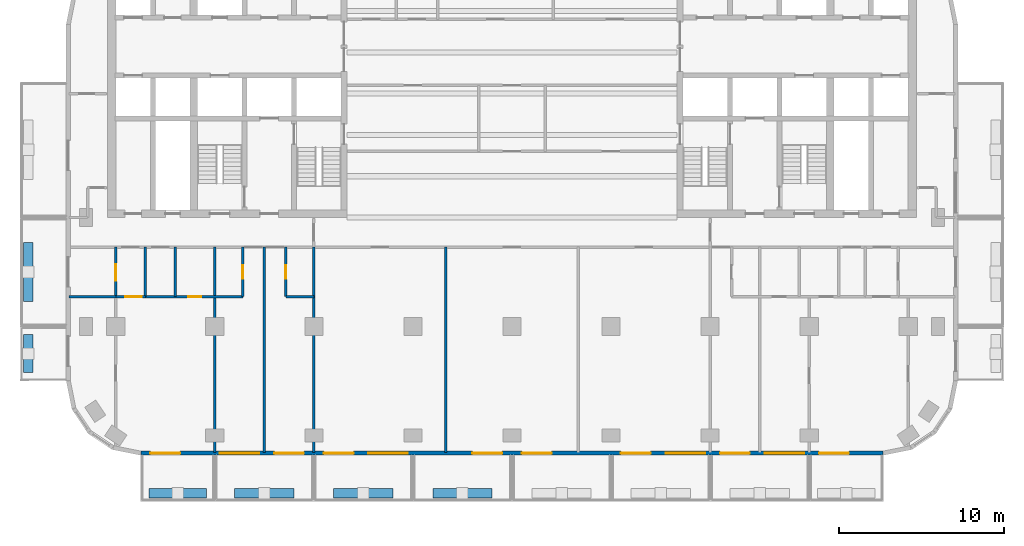
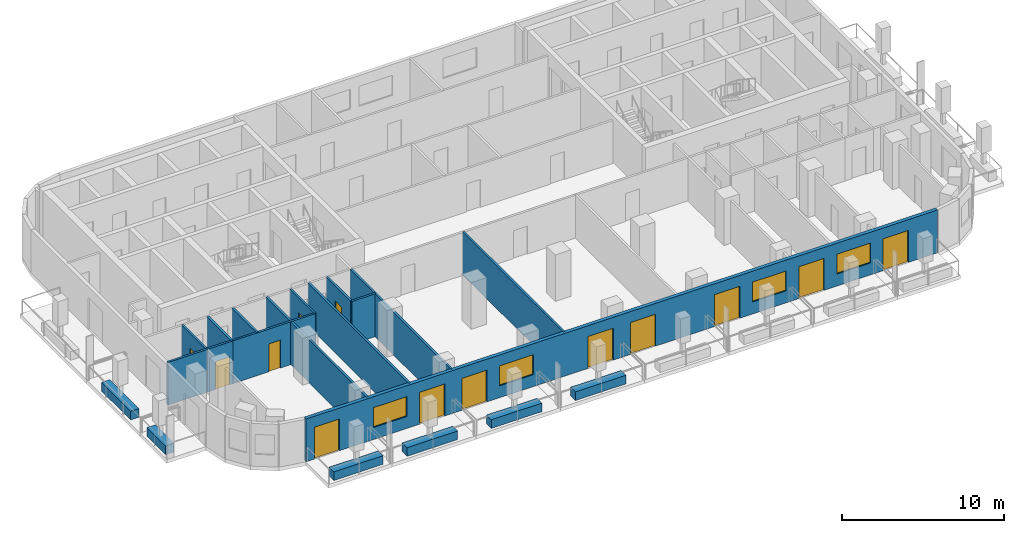
# One storey, part 2 of 11: 20 walls, 13 doors, 4 windows, 17 openings.
"""IFC4 building model written with IfcOpenShell, lengths in metres."""

from ifc_helpers import new_model, si_unit, direction, frame, frame_2d, origin, place, context, subcontext, project, spatial, rectangle, extrude, material, layer, layer_set, type_object, element, fill, save


model = new_model("IFC4")

# Units and contexts
model_context = context("Model", 3, precision=1e-05, world=origin(), true_north=direction((0.0, 1.0)))
body_context = subcontext(model_context, "Body", "Model", "MODEL_VIEW")
ifc_project = project(units=[si_unit("LENGTHUNIT", "METRE"), si_unit("AREAUNIT", "SQUARE_METRE"), si_unit("VOLUMEUNIT", "CUBIC_METRE"), si_unit("PLANEANGLEUNIT", "RADIAN"), si_unit("MASSUNIT", "GRAM", prefix="KILO")], contexts=[model_context])

# Site, building, storey
site_placement = place(None, origin())
site = spatial("IfcSite", under=ifc_project, at=site_placement, CompositionType="ELEMENT")
building_placement = place(site_placement, origin())
building = spatial("IfcBuilding", under=site, at=building_placement, Name="Torana Hotel and Residences", CompositionType="ELEMENT")
storey_placement = place(building_placement, frame((0.0, 0.0, 187.10009765625)))
storey = spatial("IfcBuildingStorey", under=building, at=storey_placement, Name="L48", CompositionType="ELEMENT", Elevation=187.10009765625)

# Wall, openings, doors, windows
ifc_material_1 = material(Name="Black aluminium composite panel", Category="aluminium")
ifc_layer_1 = layer(ifc_material_1, 0.00390625, Name="Cladding", Category="cladding")
ifc_material_2 = material(Name="Ventilated air cavity")
ifc_layer_2 = layer(ifc_material_2, 0.0400390625, Name="Ventilated cavity", Category="cavity")
ifc_material_3 = material(Name="Mineral wool insulation")
ifc_layer_3 = layer(ifc_material_3, 0.090087890625, Name="Insulation", Category="insulation")
ifc_material_4 = material(Name="Steel S280GD", Category="steel")
ifc_layer_4 = layer(ifc_material_4, 0.092041015625, Name="Steel stud frame", Category="structure")
ifc_material_5 = material(Name="Fire rated plasterboard")
ifc_layer_5 = layer(ifc_material_5, 0.011962890625, Name="Inner board", Category="finish")
ifc_layer_6 = layer(ifc_material_5, 0.011962890625, Name="Second board", Category="finish")
ifc_layer_set_1 = layer_set([ifc_layer_1, ifc_layer_2, ifc_layer_3, ifc_layer_4, ifc_layer_5, ifc_layer_6], Name="EW1 EXTERNAL WALL BLACK METAL CLAD 250")
wall_type_1 = type_object("IfcWallType", Name="EW1 EXTERNAL WALL BLACK METAL CLAD 250", PredefinedType="SOLIDWALL", material=ifc_layer_set_1)
wall_1_placement = place(storey_placement, frame((-22.475341796875, -29.27490234375, 0.0), z_axis=(0.0, 0.0, 1.0), x_axis=(1.0, 0.0, 0.0)))
wall_1 = element("IfcWall", 1, at=wall_1_placement, inside=storey, type_object=wall_type_1, Name="External wall L48 e0.14", PredefinedType="SOLIDWALL", context=body_context, shape_type="SweptSolid", body=[
    extrude(rectangle(XDim=44.95068359375, YDim=0.25, at=frame_2d((22.475341796875, 0.0))), origin(), (0.0, 0.0, 1.0), 3.219970703125),
])
opening_1_placement = place(wall_1_placement, frame((0.575439453125, 0.0, 0.0)))
opening_1 = element("IfcOpeningElement", 2, at=opening_1_placement, cuts=wall_1, Name="Opening L48-E01", PredefinedType="OPENING", context=body_context, shape_type="SweptSolid", body=[
    extrude(rectangle(XDim=1.800048828125, YDim=2.39990234375, at=frame_2d((0.89990234375, 1.199951171875))), frame((0.0, 0.135009765625, 0.0), z_axis=(0.0, -1.0, 0.0), x_axis=(1.0, 0.0, 0.0)), (0.0, 0.0, 1.0), 0.27001953125),
])
opening_2_placement = place(wall_1_placement, frame((4.775390625, 0.0, 0.89990234375)))
opening_2 = element("IfcOpeningElement", 3, at=opening_2_placement, cuts=wall_1, Name="Opening W3", PredefinedType="OPENING", context=body_context, shape_type="SweptSolid", body=[
    extrude(rectangle(XDim=2.39990234375, YDim=1.5, at=frame_2d((1.199951171875, 0.75))), frame((0.0, 0.135009765625, 0.0), z_axis=(0.0, -1.0, 0.0), x_axis=(1.0, 0.0, 0.0)), (0.0, 0.0, 1.0), 0.27001953125),
])
opening_3_placement = place(wall_1_placement, frame((8.075439453125, 0.0, 0.0)))
opening_3 = element("IfcOpeningElement", 4, at=opening_3_placement, cuts=wall_1, Name="Opening L48-E02", PredefinedType="OPENING", context=body_context, shape_type="SweptSolid", body=[
    extrude(rectangle(XDim=1.800048828125, YDim=2.39990234375, at=frame_2d((0.89990234375, 1.199951171875))), frame((0.0, 0.135009765625, 0.0), z_axis=(0.0, -1.0, 0.0), x_axis=(1.0, 0.0, 0.0)), (0.0, 0.0, 1.0), 0.27001953125),
])
opening_4_placement = place(wall_1_placement, frame((11.075439453125, 0.0, 0.0)))
opening_4 = element("IfcOpeningElement", 5, at=opening_4_placement, cuts=wall_1, Name="Opening L48-E03", PredefinedType="OPENING", context=body_context, shape_type="SweptSolid", body=[
    extrude(rectangle(XDim=1.800048828125, YDim=2.39990234375, at=frame_2d((0.89990234375, 1.199951171875))), frame((0.0, 0.135009765625, 0.0), z_axis=(0.0, -1.0, 0.0), x_axis=(1.0, 0.0, 0.0)), (0.0, 0.0, 1.0), 0.27001953125),
])
opening_5_placement = place(wall_1_placement, frame((13.775390625, 0.0, 0.89990234375)))
opening_5 = element("IfcOpeningElement", 6, at=opening_5_placement, cuts=wall_1, Name="Opening W3", PredefinedType="OPENING", context=body_context, shape_type="SweptSolid", body=[
    extrude(rectangle(XDim=2.39990234375, YDim=1.5, at=frame_2d((1.199951171875, 0.75))), frame((0.0, 0.135009765625, 0.0), z_axis=(0.0, -1.0, 0.0), x_axis=(1.0, 0.0, 0.0)), (0.0, 0.0, 1.0), 0.27001953125),
])
opening_6_placement = place(wall_1_placement, frame((20.075439453125, 0.0, 0.0)))
opening_6 = element("IfcOpeningElement", 7, at=opening_6_placement, cuts=wall_1, Name="Opening L48-E04", PredefinedType="OPENING", context=body_context, shape_type="SweptSolid", body=[
    extrude(rectangle(XDim=1.800048828125, YDim=2.39990234375, at=frame_2d((0.89990234375, 1.199951171875))), frame((0.0, 0.135009765625, 0.0), z_axis=(0.0, -1.0, 0.0), x_axis=(1.0, 0.0, 0.0)), (0.0, 0.0, 1.0), 0.27001953125),
])
opening_7_placement = place(wall_1_placement, frame((23.075439453125, 0.0, 0.0)))
opening_7 = element("IfcOpeningElement", 8, at=opening_7_placement, cuts=wall_1, Name="Opening L48-E05", PredefinedType="OPENING", context=body_context, shape_type="SweptSolid", body=[
    extrude(rectangle(XDim=1.800048828125, YDim=2.39990234375, at=frame_2d((0.89990234375, 1.199951171875))), frame((0.0, 0.135009765625, 0.0), z_axis=(0.0, -1.0, 0.0), x_axis=(1.0, 0.0, 0.0)), (0.0, 0.0, 1.0), 0.27001953125),
])
opening_8_placement = place(wall_1_placement, frame((29.075439453125, 0.0, 0.0)))
opening_8 = element("IfcOpeningElement", 9, at=opening_8_placement, cuts=wall_1, Name="Opening L48-E06", PredefinedType="OPENING", context=body_context, shape_type="SweptSolid", body=[
    extrude(rectangle(XDim=1.800048828125, YDim=2.39990234375, at=frame_2d((0.89990234375, 1.199951171875))), frame((0.0, 0.135009765625, 0.0), z_axis=(0.0, -1.0, 0.0), x_axis=(1.0, 0.0, 0.0)), (0.0, 0.0, 1.0), 0.27001953125),
])
opening_9_placement = place(wall_1_placement, frame((31.775390625, 0.0, 0.89990234375)))
opening_9 = element("IfcOpeningElement", 10, at=opening_9_placement, cuts=wall_1, Name="Opening W3", PredefinedType="OPENING", context=body_context, shape_type="SweptSolid", body=[
    extrude(rectangle(XDim=2.39990234375, YDim=1.5, at=frame_2d((1.199951171875, 0.75))), frame((0.0, 0.135009765625, 0.0), z_axis=(0.0, -1.0, 0.0), x_axis=(1.0, 0.0, 0.0)), (0.0, 0.0, 1.0), 0.27001953125),
])
opening_10_placement = place(wall_1_placement, frame((35.075439453125, 0.0, 0.0)))
opening_10 = element("IfcOpeningElement", 11, at=opening_10_placement, cuts=wall_1, Name="Opening L48-E07", PredefinedType="OPENING", context=body_context, shape_type="SweptSolid", body=[
    extrude(rectangle(XDim=1.800048828125, YDim=2.39990234375, at=frame_2d((0.89990234375, 1.199951171875))), frame((0.0, 0.135009765625, 0.0), z_axis=(0.0, -1.0, 0.0), x_axis=(1.0, 0.0, 0.0)), (0.0, 0.0, 1.0), 0.27001953125),
])
opening_11_placement = place(wall_1_placement, frame((37.775390625, 0.0, 0.89990234375)))
opening_11 = element("IfcOpeningElement", 12, at=opening_11_placement, cuts=wall_1, Name="Opening W3", PredefinedType="OPENING", context=body_context, shape_type="SweptSolid", body=[
    extrude(rectangle(XDim=2.39990234375, YDim=1.5, at=frame_2d((1.199951171875, 0.75))), frame((0.0, 0.135009765625, 0.0), z_axis=(0.0, -1.0, 0.0), x_axis=(1.0, 0.0, 0.0)), (0.0, 0.0, 1.0), 0.27001953125),
])
opening_12_placement = place(wall_1_placement, frame((41.075439453125, 0.0, 0.0)))
opening_12 = element("IfcOpeningElement", 13, at=opening_12_placement, cuts=wall_1, Name="Opening L48-E08", PredefinedType="OPENING", context=body_context, shape_type="SweptSolid", body=[
    extrude(rectangle(XDim=1.800048828125, YDim=2.39990234375, at=frame_2d((0.89990234375, 1.199951171875))), frame((0.0, 0.135009765625, 0.0), z_axis=(0.0, -1.0, 0.0), x_axis=(1.0, 0.0, 0.0)), (0.0, 0.0, 1.0), 0.27001953125),
])
ifc_material_6 = material(Name="Dark glass in black aluminium frame", Category="aluminium")
door_type_1 = type_object("IfcDoorType", Name="DB1 BALCONY DOOR 1800x2400", OperationType="DOUBLE_DOOR_SINGLE_SWING", PredefinedType="DOOR", material=ifc_material_6)
door_1_placement = place(opening_1_placement, origin())
door_1 = element("IfcDoor", 14, at=door_1_placement, inside=storey, type_object=door_type_1, Name="Balcony door L48", OperationType="DOUBLE_DOOR_SINGLE_SWING", OverallHeight=2.39990234375, OverallWidth=1.800048828125, PredefinedType="DOOR", context=body_context, shape_type="SweptSolid", body=[
    extrude(rectangle(XDim=1.800048828125, YDim=2.39990234375, at=frame_2d((0.89990234375, 1.199951171875))), frame((0.0, 0.02490234375, 0.0), z_axis=(0.0, -1.0, 0.0), x_axis=(1.0, 0.0, 0.0)), (0.0, 0.0, 1.0), 0.050048828125),
])
fill(opening_1, door_1)
door_2_placement = place(opening_3_placement, origin())
door_2 = element("IfcDoor", 15, at=door_2_placement, inside=storey, type_object=door_type_1, Name="Balcony door L48", OperationType="DOUBLE_DOOR_SINGLE_SWING", OverallHeight=2.39990234375, OverallWidth=1.800048828125, PredefinedType="DOOR", context=body_context, shape_type="SweptSolid", body=[
    extrude(rectangle(XDim=1.800048828125, YDim=2.39990234375, at=frame_2d((0.89990234375, 1.199951171875))), frame((0.0, 0.02490234375, 0.0), z_axis=(0.0, -1.0, 0.0), x_axis=(1.0, 0.0, 0.0)), (0.0, 0.0, 1.0), 0.050048828125),
])
fill(opening_3, door_2)
door_3_placement = place(opening_4_placement, origin())
door_3 = element("IfcDoor", 16, at=door_3_placement, inside=storey, type_object=door_type_1, Name="Balcony door L48", OperationType="DOUBLE_DOOR_SINGLE_SWING", OverallHeight=2.39990234375, OverallWidth=1.800048828125, PredefinedType="DOOR", context=body_context, shape_type="SweptSolid", body=[
    extrude(rectangle(XDim=1.800048828125, YDim=2.39990234375, at=frame_2d((0.89990234375, 1.199951171875))), frame((0.0, 0.02490234375, 0.0), z_axis=(0.0, -1.0, 0.0), x_axis=(1.0, 0.0, 0.0)), (0.0, 0.0, 1.0), 0.050048828125),
])
fill(opening_4, door_3)
door_4_placement = place(opening_6_placement, origin())
door_4 = element("IfcDoor", 17, at=door_4_placement, inside=storey, type_object=door_type_1, Name="Balcony door L48", OperationType="DOUBLE_DOOR_SINGLE_SWING", OverallHeight=2.39990234375, OverallWidth=1.800048828125, PredefinedType="DOOR", context=body_context, shape_type="SweptSolid", body=[
    extrude(rectangle(XDim=1.800048828125, YDim=2.39990234375, at=frame_2d((0.89990234375, 1.199951171875))), frame((0.0, 0.02490234375, 0.0), z_axis=(0.0, -1.0, 0.0), x_axis=(1.0, 0.0, 0.0)), (0.0, 0.0, 1.0), 0.050048828125),
])
fill(opening_6, door_4)
door_5_placement = place(opening_7_placement, origin())
door_5 = element("IfcDoor", 18, at=door_5_placement, inside=storey, type_object=door_type_1, Name="Balcony door L48", OperationType="DOUBLE_DOOR_SINGLE_SWING", OverallHeight=2.39990234375, OverallWidth=1.800048828125, PredefinedType="DOOR", context=body_context, shape_type="SweptSolid", body=[
    extrude(rectangle(XDim=1.800048828125, YDim=2.39990234375, at=frame_2d((0.89990234375, 1.199951171875))), frame((0.0, 0.02490234375, 0.0), z_axis=(0.0, -1.0, 0.0), x_axis=(1.0, 0.0, 0.0)), (0.0, 0.0, 1.0), 0.050048828125),
])
fill(opening_7, door_5)
door_6_placement = place(opening_8_placement, origin())
door_6 = element("IfcDoor", 19, at=door_6_placement, inside=storey, type_object=door_type_1, Name="Balcony door L48", OperationType="DOUBLE_DOOR_SINGLE_SWING", OverallHeight=2.39990234375, OverallWidth=1.800048828125, PredefinedType="DOOR", context=body_context, shape_type="SweptSolid", body=[
    extrude(rectangle(XDim=1.800048828125, YDim=2.39990234375, at=frame_2d((0.89990234375, 1.199951171875))), frame((0.0, 0.02490234375, 0.0), z_axis=(0.0, -1.0, 0.0), x_axis=(1.0, 0.0, 0.0)), (0.0, 0.0, 1.0), 0.050048828125),
])
fill(opening_8, door_6)
door_7_placement = place(opening_10_placement, origin())
door_7 = element("IfcDoor", 20, at=door_7_placement, inside=storey, type_object=door_type_1, Name="Balcony door L48", OperationType="DOUBLE_DOOR_SINGLE_SWING", OverallHeight=2.39990234375, OverallWidth=1.800048828125, PredefinedType="DOOR", context=body_context, shape_type="SweptSolid", body=[
    extrude(rectangle(XDim=1.800048828125, YDim=2.39990234375, at=frame_2d((0.89990234375, 1.199951171875))), frame((0.0, 0.02490234375, 0.0), z_axis=(0.0, -1.0, 0.0), x_axis=(1.0, 0.0, 0.0)), (0.0, 0.0, 1.0), 0.050048828125),
])
fill(opening_10, door_7)
door_8_placement = place(opening_12_placement, origin())
door_8 = element("IfcDoor", 21, at=door_8_placement, inside=storey, type_object=door_type_1, Name="Balcony door L48", OperationType="DOUBLE_DOOR_SINGLE_SWING", OverallHeight=2.39990234375, OverallWidth=1.800048828125, PredefinedType="DOOR", context=body_context, shape_type="SweptSolid", body=[
    extrude(rectangle(XDim=1.800048828125, YDim=2.39990234375, at=frame_2d((0.89990234375, 1.199951171875))), frame((0.0, 0.02490234375, 0.0), z_axis=(0.0, -1.0, 0.0), x_axis=(1.0, 0.0, 0.0)), (0.0, 0.0, 1.0), 0.050048828125),
])
fill(opening_12, door_8)
ifc_material_7 = material(Name="Dark glass in black aluminium frame", Category="aluminium")
window_type = type_object("IfcWindowType", Name="W3 RESIDENCE WINDOW 2400x1500", PartitioningType="SINGLE_PANEL", PredefinedType="WINDOW", material=ifc_material_7)
window_1_placement = place(opening_2_placement, origin())
window_1 = element("IfcWindow", 22, at=window_1_placement, inside=storey, type_object=window_type, Name="Window L48", OverallHeight=1.5, OverallWidth=2.39990234375, PartitioningType="SINGLE_PANEL", PredefinedType="WINDOW", context=body_context, shape_type="SweptSolid", body=[
    extrude(rectangle(XDim=2.39990234375, YDim=1.5, at=frame_2d((1.199951171875, 0.75))), frame((0.0, 0.030029296875, 0.0), z_axis=(0.0, -1.0, 0.0), x_axis=(1.0, 0.0, 0.0)), (0.0, 0.0, 1.0), 0.06005859375),
])
fill(opening_2, window_1)
window_2_placement = place(opening_5_placement, origin())
window_2 = element("IfcWindow", 23, at=window_2_placement, inside=storey, type_object=window_type, Name="Window L48", OverallHeight=1.5, OverallWidth=2.39990234375, PartitioningType="SINGLE_PANEL", PredefinedType="WINDOW", context=body_context, shape_type="SweptSolid", body=[
    extrude(rectangle(XDim=2.39990234375, YDim=1.5, at=frame_2d((1.199951171875, 0.75))), frame((0.0, 0.030029296875, 0.0), z_axis=(0.0, -1.0, 0.0), x_axis=(1.0, 0.0, 0.0)), (0.0, 0.0, 1.0), 0.06005859375),
])
fill(opening_5, window_2)
window_3_placement = place(opening_9_placement, origin())
window_3 = element("IfcWindow", 24, at=window_3_placement, inside=storey, type_object=window_type, Name="Window L48", OverallHeight=1.5, OverallWidth=2.39990234375, PartitioningType="SINGLE_PANEL", PredefinedType="WINDOW", context=body_context, shape_type="SweptSolid", body=[
    extrude(rectangle(XDim=2.39990234375, YDim=1.5, at=frame_2d((1.199951171875, 0.75))), frame((0.0, 0.030029296875, 0.0), z_axis=(0.0, -1.0, 0.0), x_axis=(1.0, 0.0, 0.0)), (0.0, 0.0, 1.0), 0.06005859375),
])
fill(opening_9, window_3)
window_4_placement = place(opening_11_placement, origin())
window_4 = element("IfcWindow", 25, at=window_4_placement, inside=storey, type_object=window_type, Name="Window L48", OverallHeight=1.5, OverallWidth=2.39990234375, PartitioningType="SINGLE_PANEL", PredefinedType="WINDOW", context=body_context, shape_type="SweptSolid", body=[
    extrude(rectangle(XDim=2.39990234375, YDim=1.5, at=frame_2d((1.199951171875, 0.75))), frame((0.0, 0.030029296875, 0.0), z_axis=(0.0, -1.0, 0.0), x_axis=(1.0, 0.0, 0.0)), (0.0, 0.0, 1.0), 0.06005859375),
])
fill(opening_11, window_4)

# Wall
ifc_material_8 = material(Name="Gypsum plaster")
ifc_layer_7 = layer(ifc_material_8, 0.014892578125, Name="Plaster", Category="finish")
ifc_material_9 = material(Name="Concrete blockwork", Category="masonry")
ifc_layer_8 = layer(ifc_material_9, 0.1201171875, Name="Blockwork", Category="structure")
ifc_layer_9 = layer(ifc_material_8, 0.014892578125, Name="Plaster", Category="finish")
ifc_layer_set_2 = layer_set([ifc_layer_7, ifc_layer_8, ifc_layer_9], Name="FIRE PARTITION 150 BLOCKWORK")
wall_type_2 = type_object("IfcWallType", Name="FIRE PARTITION 150 BLOCKWORK", PredefinedType="PARTITIONING", material=ifc_layer_set_2)
wall_2_placement = place(storey_placement, frame((-22.199951171875, -19.800048828125, 0.0), z_axis=(0.0, 0.0, 1.0), x_axis=(0.0, 1.0, 0.0)))
element("IfcWall", 26, at=wall_2_placement, inside=storey, type_object=wall_type_2, Name="Partition L48", PredefinedType="PARTITIONING", context=body_context, shape_type="SweptSolid", body=[
    extrude(rectangle(XDim=3.0, YDim=0.14990234375, at=frame_2d((1.5, 0.0))), origin(), (0.0, 0.0, 1.0), 3.219970703125),
])

# Wall, opening, door
wall_3_placement = place(storey_placement, frame((-24.0, -19.800048828125, 0.0), z_axis=(0.0, 0.0, 1.0), x_axis=(0.0, 1.0, 0.0)))
wall_3 = element("IfcWall", 27, at=wall_3_placement, inside=storey, type_object=wall_type_2, Name="Partition L48", PredefinedType="PARTITIONING", context=body_context, shape_type="SweptSolid", body=[
    extrude(rectangle(XDim=3.0, YDim=0.14990234375, at=frame_2d((1.5, 0.0))), origin(), (0.0, 0.0, 1.0), 3.219970703125),
])
opening_13_placement = place(wall_3_placement, frame((0.97998046875, 0.0, 0.0)))
opening_13 = element("IfcOpeningElement", 28, at=opening_13_placement, cuts=wall_3, Name="Opening L48-53", PredefinedType="OPENING", context=body_context, shape_type="SweptSolid", body=[
    extrude(rectangle(XDim=1.0, YDim=2.10009765625, at=frame_2d((0.5, 1.050048828125))), frame((0.0, 0.0849609375, 0.0), z_axis=(0.0, -1.0, 0.0), x_axis=(1.0, 0.0, 0.0)), (0.0, 0.0, 1.0), 0.169921875),
])
ifc_material_10 = material(Name="Steel S235", Category="steel")
door_type_2 = type_object("IfcDoorType", Name="ENTRY FIRE DOOR D6 1000x2100", OperationType="SINGLE_SWING_LEFT", PredefinedType="DOOR", material=ifc_material_10)
door_9_placement = place(opening_13_placement, origin())
door_9 = element("IfcDoor", 29, at=door_9_placement, inside=storey, type_object=door_type_2, Name="Door L48", OperationType="SINGLE_SWING_RIGHT", OverallHeight=2.10009765625, OverallWidth=1.0, PredefinedType="DOOR", context=body_context, shape_type="SweptSolid", body=[
    extrude(rectangle(XDim=1.0, YDim=2.10009765625, at=frame_2d((0.5, 1.050048828125))), frame((0.0, 0.02490234375, 0.0), z_axis=(0.0, -1.0, 0.0), x_axis=(1.0, 0.0, 0.0)), (0.0, 0.0, 1.0), 0.050048828125),
])
fill(opening_13, door_9)

wall_4_placement = place(storey_placement, frame((-24.0, -19.800048828125, 0.0), z_axis=(0.0, 0.0, 1.0), x_axis=(1.0, 0.0, 0.0)))
wall_4 = element("IfcWall", 30, at=wall_4_placement, inside=storey, type_object=wall_type_2, Name="Partition L48", PredefinedType="PARTITIONING", context=body_context, shape_type="SweptSolid", body=[
    extrude(rectangle(XDim=1.800048828125, YDim=0.14990234375, at=frame_2d((0.89990234375, 0.0))), origin(), (0.0, 0.0, 1.0), 3.219970703125),
])
opening_14_placement = place(wall_4_placement, frame((0.580078125, 0.0, 0.0)))
opening_14 = element("IfcOpeningElement", 31, at=opening_14_placement, cuts=wall_4, Name="Opening L48-54", PredefinedType="OPENING", context=body_context, shape_type="SweptSolid", body=[
    extrude(rectangle(XDim=1.0, YDim=2.10009765625, at=frame_2d((0.5, 1.050048828125))), frame((0.0, 0.0849609375, 0.0), z_axis=(0.0, -1.0, 0.0), x_axis=(1.0, 0.0, 0.0)), (0.0, 0.0, 1.0), 0.169921875),
])
door_10_placement = place(opening_14_placement, frame((0.5, 0.0, 0.0), z_axis=(0.0, 0.0, 1.0), x_axis=(-1.0, 0.0, 0.0)))
door_10 = element("IfcDoor", 32, at=door_10_placement, inside=storey, type_object=door_type_2, Name="Door L48", OperationType="SINGLE_SWING_LEFT", OverallHeight=2.10009765625, OverallWidth=1.0, PredefinedType="DOOR", context=body_context, shape_type="SweptSolid", body=[
    extrude(rectangle(XDim=1.0, YDim=2.10009765625, at=frame_2d((0.0, 1.050048828125))), frame((0.0, -0.02490234375, 0.0), z_axis=(0.0, 1.0, 0.0), x_axis=(-1.0, 0.0, 0.0)), (0.0, 0.0, 1.0), 0.050048828125),
])
fill(opening_14, door_10)

# Walls
ifc_material_11 = material(Name="Gypsum plasterboard")
ifc_layer_10 = layer(ifc_material_11, 0.012451171875, Name="Plasterboard", Category="finish")
ifc_layer_11 = layer(ifc_material_11, 0.012451171875, Name="Plasterboard", Category="finish")
ifc_layer_12 = layer(ifc_material_4, 0.10009765625, Name="Steel studs with mineral wool", Category="insulation")
ifc_layer_13 = layer(ifc_material_11, 0.012451171875, Name="Plasterboard", Category="finish")
ifc_layer_14 = layer(ifc_material_11, 0.012451171875, Name="Plasterboard", Category="finish")
ifc_layer_set_3 = layer_set([ifc_layer_10, ifc_layer_11, ifc_layer_12, ifc_layer_13, ifc_layer_14], Name="PARTITION 150 PLASTERBOARD")
wall_type_3 = type_object("IfcWallType", Name="PARTITION 150 PLASTERBOARD", PredefinedType="PARTITIONING", material=ifc_layer_set_3)
for number, where, z_axis, x_axis, name in (
    (33, (-4.0, -29.219970703125, 0.0), (0.0, 0.0, 1.0), (0.0, 1.0, 0.0), "Partition L48"),
    (34, (-12.0, -29.219970703125, 0.0), (0.0, 0.0, 1.0), (0.0, 1.0, 0.0), "Partition L48"),
):
    element("IfcWall", number, at=place(storey_placement, frame(where, z_axis=z_axis, x_axis=x_axis)), inside=storey, type_object=wall_type_3, Name=name, PredefinedType="PARTITIONING", context=body_context, shape_type="SweptSolid", body=[
        extrude(rectangle(XDim=12.419921875, YDim=0.14990234375, at=frame_2d((6.2099609375, 0.0))), origin(), (0.0, 0.0, 1.0), 3.219970703125),
    ])

# Wall, opening, door
wall_5_placement = place(storey_placement, frame((-13.699951171875, -19.800048828125, 0.0), z_axis=(0.0, 0.0, 1.0), x_axis=(0.0, 1.0, 0.0)))
wall_5 = element("IfcWall", 35, at=wall_5_placement, inside=storey, type_object=wall_type_3, Name="Partition L48", PredefinedType="PARTITIONING", context=body_context, shape_type="SweptSolid", body=[
    extrude(rectangle(XDim=3.0, YDim=0.14990234375, at=frame_2d((1.5, 0.0))), origin(), (0.0, 0.0, 1.0), 3.219970703125),
])
opening_15_placement = place(wall_5_placement, frame((1.10009765625, 0.0, 0.0)))
opening_15 = element("IfcOpeningElement", 36, at=opening_15_placement, cuts=wall_5, Name="Opening L48-49", PredefinedType="OPENING", context=body_context, shape_type="SweptSolid", body=[
    extrude(rectangle(XDim=0.800048828125, YDim=2.10009765625, at=frame_2d((0.39990234375, 1.050048828125))), frame((0.0, 0.0849609375, 0.0), z_axis=(0.0, -1.0, 0.0), x_axis=(1.0, 0.0, 0.0)), (0.0, 0.0, 1.0), 0.169921875),
])
ifc_material_12 = material(Name="Timber door, painted", Category="wood")
door_type_3 = type_object("IfcDoorType", Name="BATH DOOR D13 800x2100", OperationType="SINGLE_SWING_LEFT", PredefinedType="DOOR", material=ifc_material_12)
door_11_placement = place(opening_15_placement, origin())
door_11 = element("IfcDoor", 37, at=door_11_placement, inside=storey, type_object=door_type_3, Name="Door L48", OperationType="SINGLE_SWING_LEFT", OverallHeight=2.10009765625, OverallWidth=0.800048828125, PredefinedType="DOOR", context=body_context, shape_type="SweptSolid", body=[
    extrude(rectangle(XDim=0.800048828125, YDim=2.10009765625, at=frame_2d((0.39990234375, 1.050048828125))), frame((0.0, 0.02490234375, 0.0), z_axis=(0.0, -1.0, 0.0), x_axis=(1.0, 0.0, 0.0)), (0.0, 0.0, 1.0), 0.050048828125),
])
fill(opening_15, door_11)

# Wall
wall_6_placement = place(storey_placement, frame((-15.0, -29.219970703125, 0.0), z_axis=(0.0, 0.0, 1.0), x_axis=(0.0, 1.0, 0.0)))
element("IfcWall", 38, at=wall_6_placement, inside=storey, type_object=wall_type_3, Name="Partition L48", PredefinedType="PARTITIONING", context=body_context, shape_type="SweptSolid", body=[
    extrude(rectangle(XDim=12.419921875, YDim=0.14990234375, at=frame_2d((6.2099609375, 0.0))), origin(), (0.0, 0.0, 1.0), 3.219970703125),
])

# Wall, opening, door
wall_7_placement = place(storey_placement, frame((-16.300048828125, -19.800048828125, 0.0), z_axis=(0.0, 0.0, 1.0), x_axis=(0.0, 1.0, 0.0)))
wall_7 = element("IfcWall", 39, at=wall_7_placement, inside=storey, type_object=wall_type_3, Name="Partition L48", PredefinedType="PARTITIONING", context=body_context, shape_type="SweptSolid", body=[
    extrude(rectangle(XDim=3.0, YDim=0.14990234375, at=frame_2d((1.5, 0.0))), origin(), (0.0, 0.0, 1.0), 3.219970703125),
])
opening_16_placement = place(wall_7_placement, frame((1.10009765625, 0.0, 0.0)))
opening_16 = element("IfcOpeningElement", 40, at=opening_16_placement, cuts=wall_7, Name="Opening L48-50", PredefinedType="OPENING", context=body_context, shape_type="SweptSolid", body=[
    extrude(rectangle(XDim=0.800048828125, YDim=2.10009765625, at=frame_2d((0.39990234375, 1.050048828125))), frame((0.0, 0.0849609375, 0.0), z_axis=(0.0, -1.0, 0.0), x_axis=(1.0, 0.0, 0.0)), (0.0, 0.0, 1.0), 0.169921875),
])
door_12_placement = place(opening_16_placement, origin())
door_12 = element("IfcDoor", 41, at=door_12_placement, inside=storey, type_object=door_type_3, Name="Door L48", OperationType="SINGLE_SWING_RIGHT", OverallHeight=2.10009765625, OverallWidth=0.800048828125, PredefinedType="DOOR", context=body_context, shape_type="SweptSolid", body=[
    extrude(rectangle(XDim=0.800048828125, YDim=2.10009765625, at=frame_2d((0.39990234375, 1.050048828125))), frame((0.0, 0.02490234375, 0.0), z_axis=(0.0, -1.0, 0.0), x_axis=(1.0, 0.0, 0.0)), (0.0, 0.0, 1.0), 0.050048828125),
])
fill(opening_16, door_12)

# Walls
wall_8_placement = place(storey_placement, frame((-18.0, -29.219970703125, 0.0), z_axis=(0.0, 0.0, 1.0), x_axis=(0.0, 1.0, 0.0)))
element("IfcWall", 42, at=wall_8_placement, inside=storey, type_object=wall_type_3, Name="Partition L48", PredefinedType="PARTITIONING", context=body_context, shape_type="SweptSolid", body=[
    extrude(rectangle(XDim=12.419921875, YDim=0.14990234375, at=frame_2d((6.2099609375, 0.0))), origin(), (0.0, 0.0, 1.0), 3.219970703125),
])
wall_9_placement = place(storey_placement, frame((-20.39990234375, -19.800048828125, 0.0), z_axis=(0.0, 0.0, 1.0), x_axis=(0.0, 1.0, 0.0)))
element("IfcWall", 43, at=wall_9_placement, inside=storey, type_object=wall_type_3, Name="Partition L48", PredefinedType="PARTITIONING", context=body_context, shape_type="SweptSolid", body=[
    extrude(rectangle(XDim=3.0, YDim=0.14990234375, at=frame_2d((1.5, 0.0))), origin(), (0.0, 0.0, 1.0), 3.219970703125),
])
wall_10_placement = place(storey_placement, frame((-26.820068359375, -19.800048828125, 0.0), z_axis=(0.0, 0.0, 1.0), x_axis=(1.0, 0.0, 0.0)))
element("IfcWall", 44, at=wall_10_placement, inside=storey, type_object=wall_type_3, Name="Partition L48", PredefinedType="PARTITIONING", context=body_context, shape_type="SweptSolid", body=[
    extrude(rectangle(XDim=2.820068359375, YDim=0.14990234375, at=frame_2d((1.41015625, 0.0))), origin(), (0.0, 0.0, 1.0), 3.219970703125),
])

# Wall, opening, door
wall_11_placement = place(storey_placement, frame((-22.199951171875, -19.800048828125, 0.0), z_axis=(0.0, 0.0, 1.0), x_axis=(1.0, 0.0, 0.0)))
wall_11 = element("IfcWall", 45, at=wall_11_placement, inside=storey, type_object=wall_type_3, Name="Partition L48", PredefinedType="PARTITIONING", context=body_context, shape_type="SweptSolid", body=[
    extrude(rectangle(XDim=5.89990234375, YDim=0.14990234375, at=frame_2d((2.949951171875, 0.0))), origin(), (0.0, 0.0, 1.0), 3.219970703125),
])
opening_17_placement = place(wall_11_placement, frame((2.580078125, 0.0, 0.0)))
opening_17 = element("IfcOpeningElement", 46, at=opening_17_placement, cuts=wall_11, Name="Opening L48-52", PredefinedType="OPENING", context=body_context, shape_type="SweptSolid", body=[
    extrude(rectangle(XDim=0.800048828125, YDim=2.10009765625, at=frame_2d((0.39990234375, 1.050048828125))), frame((0.0, 0.0849609375, 0.0), z_axis=(0.0, -1.0, 0.0), x_axis=(1.0, 0.0, 0.0)), (0.0, 0.0, 1.0), 0.169921875),
])
door_13_placement = place(opening_17_placement, origin())
door_13 = element("IfcDoor", 47, at=door_13_placement, inside=storey, type_object=door_type_3, Name="Door L48", OperationType="SINGLE_SWING_RIGHT", OverallHeight=2.10009765625, OverallWidth=0.800048828125, PredefinedType="DOOR", context=body_context, shape_type="SweptSolid", body=[
    extrude(rectangle(XDim=0.800048828125, YDim=2.10009765625, at=frame_2d((0.39990234375, 1.050048828125))), frame((0.0, 0.02490234375, 0.0), z_axis=(0.0, -1.0, 0.0), x_axis=(1.0, 0.0, 0.0)), (0.0, 0.0, 1.0), 0.050048828125),
])
fill(opening_17, door_13)

# Walls
wall_12_placement = place(storey_placement, frame((-13.699951171875, -19.800048828125, 0.0), z_axis=(0.0, 0.0, 1.0), x_axis=(1.0, 0.0, 0.0)))
element("IfcWall", 48, at=wall_12_placement, inside=storey, type_object=wall_type_3, Name="Partition L48", PredefinedType="PARTITIONING", context=body_context, shape_type="SweptSolid", body=[
    extrude(rectangle(XDim=1.699951171875, YDim=0.14990234375, at=frame_2d((0.85009765625, 0.0))), origin(), (0.0, 0.0, 1.0), 3.219970703125),
])
ifc_material_13 = material(Name="Concrete C40/50 precast", Category="concrete")
ifc_layer_15 = layer(ifc_material_13, 0.10009765625, Name="Planter shell", Category="structure")
ifc_material_14 = material(Name="Root resistant membrane")
ifc_layer_16 = layer(ifc_material_14, 0.00390625, Name="Waterproofing membrane", Category="membrane")
ifc_material_15 = material(Name="Drainage board with filter fleece")
ifc_layer_17 = layer(ifc_material_15, 0.02001953125, Name="Drainage board", Category="drainage")
ifc_material_16 = material(Name="Growing medium")
ifc_layer_18 = layer(ifc_material_16, 0.47607421875, Name="Planting substrate", Category="soil")
ifc_layer_set_4 = layer_set([ifc_layer_15, ifc_layer_16, ifc_layer_17, ifc_layer_18], Name="PL1 BALCONY PLANTER 600")
wall_type_4 = type_object("IfcWallType", Name="PL1 BALCONY PLANTER 600", PredefinedType="USERDEFINED", material=ifc_layer_set_4)
wall_13_placement = place(storey_placement, frame((-18.5, -31.699951171875, 0.0), z_axis=(0.0, 0.0, 1.0), x_axis=(-1.0, 0.0, 0.0)))
element("IfcWall", 49, at=wall_13_placement, inside=storey, type_object=wall_type_4, Name="Planter 01", ObjectType="PLANTER", PredefinedType="USERDEFINED", context=body_context, shape_type="SweptSolid", body=[
    extrude(rectangle(XDim=3.5, YDim=0.60009765625, at=frame_2d((1.75, 0.0))), origin(), (0.0, 0.0, 1.0), 0.64990234375),
])
for number, where, z_axis, x_axis, name in (
    (50, (-13.199951171875, -31.699951171875, 0.0), (0.0, 0.0, 1.0), (-1.0, 0.0, 0.0), "Planter 02"),
    (51, (-7.199951171875, -31.699951171875, 0.0), (0.0, 0.0, 1.0), (-1.0, 0.0, 0.0), "Planter 03"),
    (52, (-1.199951171875, -31.699951171875, 0.0), (0.0, 0.0, 1.0), (-1.0, 0.0, 0.0), "Planter 04"),
):
    element("IfcWall", number, at=place(storey_placement, frame(where, z_axis=z_axis, x_axis=x_axis)), inside=storey, type_object=wall_type_4, Name=name, ObjectType="PLANTER", PredefinedType="USERDEFINED", context=body_context, shape_type="SweptSolid", body=[
        extrude(rectangle(XDim=3.60009765625, YDim=0.60009765625, at=frame_2d((1.800048828125, 0.0))), origin(), (0.0, 0.0, 1.0), 0.64990234375),
    ])
wall_14_placement = place(storey_placement, frame((-29.300048828125, -24.39990234375, 0.0), z_axis=(0.0, 0.0, 1.0), x_axis=(0.0, 1.0, 0.0)))
element("IfcWall", 53, at=wall_14_placement, inside=storey, type_object=wall_type_4, Name="Planter 09", ObjectType="PLANTER", PredefinedType="USERDEFINED", context=body_context, shape_type="SweptSolid", body=[
    extrude(rectangle(XDim=2.2998046875, YDim=0.60009765625, at=frame_2d((1.14990234375, 0.0))), origin(), (0.0, 0.0, 1.0), 0.64990234375),
])
wall_15_placement = place(storey_placement, frame((-29.300048828125, -20.10009765625, 0.0), z_axis=(0.0, 0.0, 1.0), x_axis=(0.0, 1.0, 0.0)))
element("IfcWall", 54, at=wall_15_placement, inside=storey, type_object=wall_type_4, Name="Planter 10", ObjectType="PLANTER", PredefinedType="USERDEFINED", context=body_context, shape_type="SweptSolid", body=[
    extrude(rectangle(XDim=3.60009765625, YDim=0.60009765625, at=frame_2d((1.800048828125, 0.0))), origin(), (0.0, 0.0, 1.0), 0.64990234375),
])

save(model, "model.ifc")
